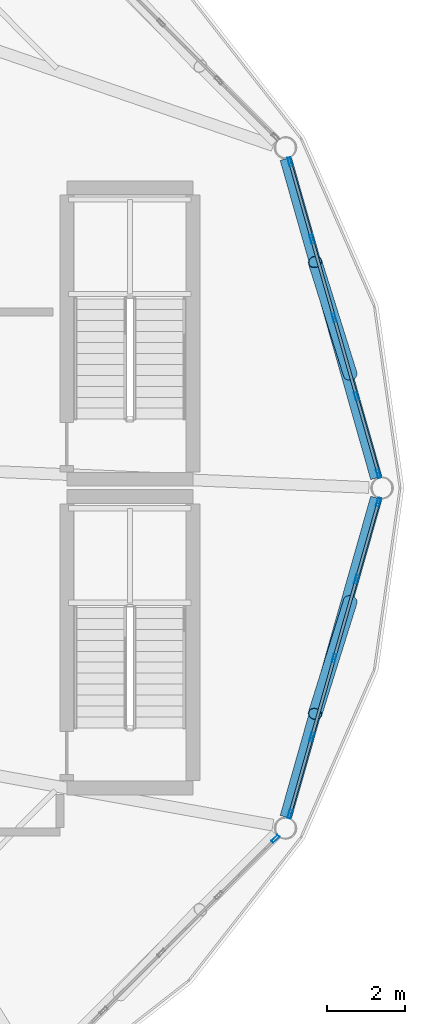
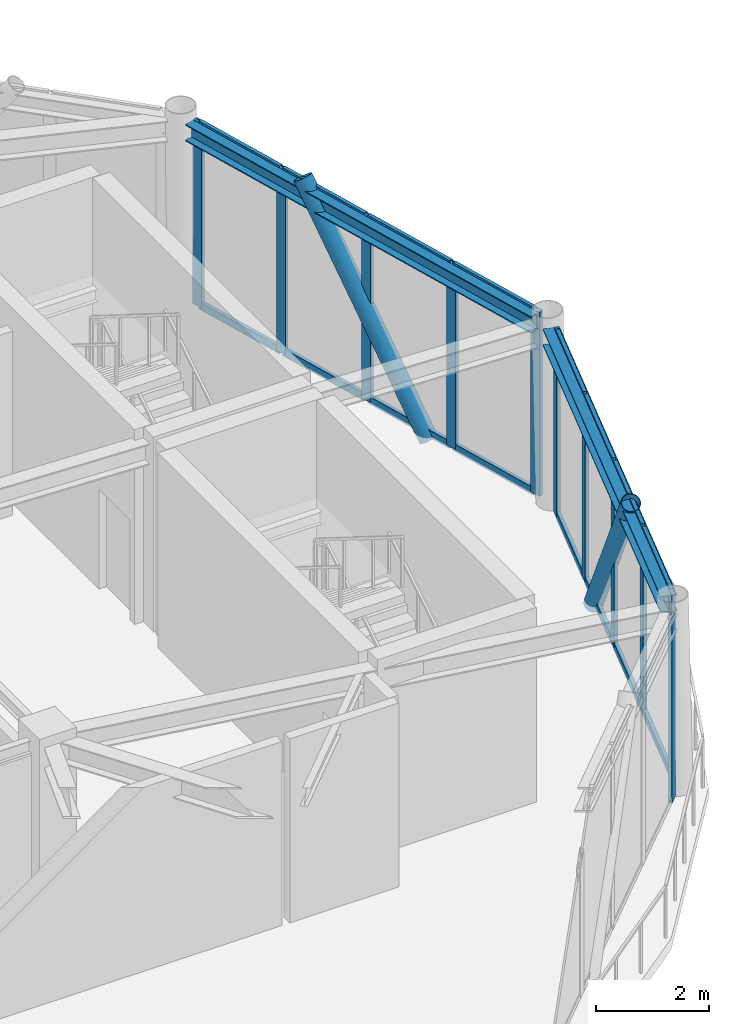
# One storey, part 13 of 21: 29 members, 2 beams, 3 elements without a shape of their own.
"""IFC4 building model written with IfcOpenShell, lengths in metres."""

from ifc_helpers import new_model, si_unit, direction, frame, origin, origin_2d, place, context, subcontext, project, spatial, hollow_rectangle, hollow_circle, i_section, extrude, material, layer, layer_set, material_profile, profile_set, type_object, element, aggregate, save


model = new_model("IFC4")

# Units and contexts
model_context = context("Model", 3, precision=1e-05, world=origin(), true_north=direction((0.0, 1.0)))
body_context = subcontext(model_context, "Body", "Model", "MODEL_VIEW")
ifc_project = project(units=[si_unit("LENGTHUNIT", "METRE"), si_unit("AREAUNIT", "SQUARE_METRE"), si_unit("VOLUMEUNIT", "CUBIC_METRE"), si_unit("PLANEANGLEUNIT", "RADIAN"), si_unit("MASSUNIT", "GRAM", prefix="KILO")], contexts=[model_context])

# Site, building, storey
site_placement = place(None, origin())
site = spatial("IfcSite", under=ifc_project, at=site_placement, CompositionType="ELEMENT")
building_placement = place(site_placement, origin())
building = spatial("IfcBuilding", under=site, at=building_placement, Name="Varnakorn Sky Granary", CompositionType="ELEMENT")
storey_placement = place(building_placement, frame((0.0, 0.0, 298.199951171875)))
storey = spatial("IfcBuildingStorey", under=building, at=storey_placement, Name="L76", CompositionType="ELEMENT", Elevation=298.199951171875)

# Beams
ifc_material_1 = material(Name="Steel S355JR", Category="steel")
ifc_material_profile_1 = material_profile(ifc_material_1, i_section(OverallWidth=0.300048828125, OverallDepth=0.360107421875, WebThickness=0.012451171875, FlangeThickness=0.0224609375, at=origin_2d()), Name="HE 360 B")
ifc_profile_set_1 = profile_set([ifc_material_profile_1], Name="Steel S355JR")
beam_type = type_object("IfcBeamType", Name="BM-SPD-Z5", PredefinedType="SPANDREL", material=ifc_profile_set_1)
for number, where, z_axis, x_axis, name in (
    (1, (22.270751953125, 0.25439453125, 3.780029296875), (-0.272855488152, 0.962055030955, 0.0), (-0.962055030955, -0.272855488152, 0.0), "Perimeter Spandrel Ring Beam RB01 L76"),
    (2, (19.95458984375, -8.4208984375, 3.780029296875), (0.272855488152, 0.962055030955, 0.0), (-0.962055030955, 0.272855488152, 0.0), "Perimeter Spandrel Ring Beam RB12 L76"),
):
    element("IfcBeam", number, at=place(storey_placement, frame(where, z_axis=z_axis, x_axis=x_axis)), inside=storey, type_object=beam_type, Name=name, PredefinedType="SPANDREL", context=body_context, shape_type="SweptSolid", body=[
        extrude(i_section(OverallWidth=0.300048828125, OverallDepth=0.360107421875, WebThickness=0.012451171875, FlangeThickness=0.0224609375, at=origin_2d()), origin(), (0.0, 0.0, 1.0), 8.488525390625),
    ])

# Curtain wall, members
ifc_material_2 = material(Name="Anodised Bronze Aluminium Alloy 6063-T6", Category="aluminium")
ifc_layer = layer(ifc_material_2, 0.22998046875, Name="Anodised Bronze Aluminium Alloy 6063-T6")
ifc_layer_set = layer_set([ifc_layer], Name="Anodised Bronze Aluminium Alloy 6063-T6")
curtain_wall_type = type_object("IfcCurtainWallType", Name="CW-LNT-1", PredefinedType="USERDEFINED", material=ifc_layer_set)
curtain_wall_1_placement = place(storey_placement, origin())
curtain_wall_1 = element("IfcCurtainWall", 3, at=curtain_wall_1_placement, inside=storey, type_object=curtain_wall_type, Name="Unitised Curtain Wall CW7 CW-L76-B01", ObjectType="CURTAIN WALL", PredefinedType="USERDEFINED")
ifc_material_profile_2 = material_profile(ifc_material_2, hollow_rectangle(XDim=0.074951171875, YDim=0.219970703125, WallThickness=0.00390625, at=origin_2d()), Name="ALU MULL 75x220")
ifc_profile_set_2 = profile_set([ifc_material_profile_2], Name="Anodised Bronze Aluminium Alloy 6063-T6")
member_type_1 = type_object("IfcMemberType", Name="CW-LNT-1-MULL", PredefinedType="MULLION", material=ifc_profile_set_2)
member_1_placement = place(storey_placement, frame((20.059814453125, 8.348388671875, 0.0), z_axis=(0.0, 0.0, 1.0), x_axis=(0.962012139811, 0.273006671816, 0.0)))
member_1 = element("IfcMember", 4, at=member_1_placement, type_object=member_type_1, Name="CW7 mullion 1", PredefinedType="MULLION", context=body_context, shape_type="SweptSolid", body=[
    extrude(hollow_rectangle(XDim=0.074951171875, YDim=0.219970703125, WallThickness=0.00390625, at=origin_2d()), origin(), (0.0, 0.0, 1.0), 3.9599609375),
])
member_2_placement = place(storey_placement, frame((20.621337890625, 6.369873046875, 0.0), z_axis=(0.0, 0.0, 1.0), x_axis=(0.962012139811, 0.273006671816, 0.0)))
member_2 = element("IfcMember", 5, at=member_2_placement, type_object=member_type_1, Name="CW7 mullion 2", PredefinedType="MULLION", context=body_context, shape_type="SweptSolid", body=[
    extrude(hollow_rectangle(XDim=0.074951171875, YDim=0.219970703125, WallThickness=0.00390625, at=origin_2d()), origin(), (0.0, 0.0, 1.0), 3.9599609375),
])
member_3_placement = place(storey_placement, frame((21.19287109375, 4.35546875, 0.0), z_axis=(0.0, 0.0, 1.0), x_axis=(0.962012139811, 0.273006671816, 0.0)))
member_3 = element("IfcMember", 6, at=member_3_placement, type_object=member_type_1, Name="CW7 mullion 3", PredefinedType="MULLION", context=body_context, shape_type="SweptSolid", body=[
    extrude(hollow_rectangle(XDim=0.074951171875, YDim=0.219970703125, WallThickness=0.00390625, at=origin_2d()), origin(), (0.0, 0.0, 1.0), 3.9599609375),
])
member_4_placement = place(storey_placement, frame((21.7646484375, 2.341064453125, 0.0), z_axis=(0.0, 0.0, 1.0), x_axis=(0.962012139811, 0.273006671816, 0.0)))
member_4 = element("IfcMember", 7, at=member_4_placement, type_object=member_type_1, Name="CW7 mullion 4", PredefinedType="MULLION", context=body_context, shape_type="SweptSolid", body=[
    extrude(hollow_rectangle(XDim=0.074951171875, YDim=0.219970703125, WallThickness=0.00390625, at=origin_2d()), origin(), (0.0, 0.0, 1.0), 3.9599609375),
])
member_5_placement = place(storey_placement, frame((22.326171875, 0.36279296875, 0.0), z_axis=(0.0, 0.0, 1.0), x_axis=(0.962012139811, 0.273006671816, 0.0)))
member_5 = element("IfcMember", 8, at=member_5_placement, type_object=member_type_1, Name="CW7 mullion 5", PredefinedType="MULLION", context=body_context, shape_type="SweptSolid", body=[
    extrude(hollow_rectangle(XDim=0.074951171875, YDim=0.219970703125, WallThickness=0.00390625, at=origin_2d()), origin(), (0.0, 0.0, 1.0), 3.9599609375),
])

# Curtain wall, member
curtain_wall_2_placement = place(storey_placement, origin())
curtain_wall_2 = element("IfcCurtainWall", 9, at=curtain_wall_2_placement, inside=storey, type_object=curtain_wall_type, Name="Unitised Curtain Wall CW7 CW-L76-B11", ObjectType="CURTAIN WALL", PredefinedType="USERDEFINED")
member_6_placement = place(storey_placement, frame((19.690185546875, -8.977294921875, 0.0), z_axis=(0.0, 0.0, 1.0), x_axis=(0.706663262546, -0.707550021813, 0.0)))
member_6 = element("IfcMember", 10, at=member_6_placement, type_object=member_type_1, Name="CW7 mullion 1", PredefinedType="MULLION", context=body_context, shape_type="SweptSolid", body=[
    extrude(hollow_rectangle(XDim=0.074951171875, YDim=0.219970703125, WallThickness=0.00390625, at=origin_2d()), origin(), (0.0, 0.0, 1.0), 3.9599609375),
])
aggregate(curtain_wall_2, [member_6])

# Curtain wall, members
curtain_wall_3_placement = place(storey_placement, origin())
curtain_wall_3 = element("IfcCurtainWall", 11, at=curtain_wall_3_placement, inside=storey, type_object=curtain_wall_type, Name="Unitised Curtain Wall CW7 CW-L76-B12", ObjectType="CURTAIN WALL", PredefinedType="USERDEFINED")
member_7_placement = place(storey_placement, frame((22.326171875, -0.36279296875, 0.0), z_axis=(0.0, 0.0, 1.0), x_axis=(0.962012139811, -0.273006671816, 0.0)))
member_7 = element("IfcMember", 12, at=member_7_placement, type_object=member_type_1, Name="CW7 mullion 1", PredefinedType="MULLION", context=body_context, shape_type="SweptSolid", body=[
    extrude(hollow_rectangle(XDim=0.074951171875, YDim=0.219970703125, WallThickness=0.00390625, at=origin_2d()), origin(), (0.0, 0.0, 1.0), 3.9599609375),
])
member_8_placement = place(storey_placement, frame((21.7646484375, -2.341064453125, 0.0), z_axis=(0.0, 0.0, 1.0), x_axis=(0.962012139811, -0.273006671816, 0.0)))
member_8 = element("IfcMember", 13, at=member_8_placement, type_object=member_type_1, Name="CW7 mullion 2", PredefinedType="MULLION", context=body_context, shape_type="SweptSolid", body=[
    extrude(hollow_rectangle(XDim=0.074951171875, YDim=0.219970703125, WallThickness=0.00390625, at=origin_2d()), origin(), (0.0, 0.0, 1.0), 3.9599609375),
])
member_9_placement = place(storey_placement, frame((21.19287109375, -4.35546875, 0.0), z_axis=(0.0, 0.0, 1.0), x_axis=(0.962012139811, -0.273006671816, 0.0)))
member_9 = element("IfcMember", 14, at=member_9_placement, type_object=member_type_1, Name="CW7 mullion 3", PredefinedType="MULLION", context=body_context, shape_type="SweptSolid", body=[
    extrude(hollow_rectangle(XDim=0.074951171875, YDim=0.219970703125, WallThickness=0.00390625, at=origin_2d()), origin(), (0.0, 0.0, 1.0), 3.9599609375),
])
member_10_placement = place(storey_placement, frame((20.621337890625, -6.369873046875, 0.0), z_axis=(0.0, 0.0, 1.0), x_axis=(0.962012139811, -0.273006671816, 0.0)))
member_10 = element("IfcMember", 15, at=member_10_placement, type_object=member_type_1, Name="CW7 mullion 4", PredefinedType="MULLION", context=body_context, shape_type="SweptSolid", body=[
    extrude(hollow_rectangle(XDim=0.074951171875, YDim=0.219970703125, WallThickness=0.00390625, at=origin_2d()), origin(), (0.0, 0.0, 1.0), 3.9599609375),
])
member_11_placement = place(storey_placement, frame((20.059814453125, -8.348388671875, 0.0), z_axis=(0.0, 0.0, 1.0), x_axis=(0.962012139811, -0.273006671816, 0.0)))
member_11 = element("IfcMember", 16, at=member_11_placement, type_object=member_type_1, Name="CW7 mullion 5", PredefinedType="MULLION", context=body_context, shape_type="SweptSolid", body=[
    extrude(hollow_rectangle(XDim=0.074951171875, YDim=0.219970703125, WallThickness=0.00390625, at=origin_2d()), origin(), (0.0, 0.0, 1.0), 3.9599609375),
])

# Member
ifc_material_profile_3 = material_profile(ifc_material_2, hollow_rectangle(XDim=0.074951171875, YDim=0.159912109375, WallThickness=0.00390625, at=origin_2d()), Name="ALU TRAN 75x160")
ifc_profile_set_3 = profile_set([ifc_material_profile_3], Name="Anodised Bronze Aluminium Alloy 6063-T6")
member_type_2 = type_object("IfcMemberType", Name="CW-LNT-1-TRAN", PredefinedType="USERDEFINED", material=ifc_profile_set_3)
member_12_placement = place(storey_placement, frame((20.070068359375, 8.312255859375, 0.03759765625), z_axis=(0.273028339525, -0.96200599053, 0.0), x_axis=(0.96200599053, 0.273028339525, 0.0)))
member_12 = element("IfcMember", 17, at=member_12_placement, type_object=member_type_2, Name="CW7 transom 1.1", ObjectType="TRANSOM", PredefinedType="USERDEFINED", context=body_context, shape_type="SweptSolid", body=[
    extrude(hollow_rectangle(XDim=0.074951171875, YDim=0.159912109375, WallThickness=0.00390625, at=origin_2d()), origin(), (0.0, 0.0, 1.0), 1.9814453125),
])

member_13_placement = place(storey_placement, frame((20.070068359375, 8.312255859375, 3.922607421875), z_axis=(0.273028339525, -0.96200599053, 0.0), x_axis=(0.96200599053, 0.273028339525, 0.0)))
member_13 = element("IfcMember", 18, at=member_13_placement, type_object=member_type_2, Name="CW7 transom 1.2", ObjectType="TRANSOM", PredefinedType="USERDEFINED", context=body_context, shape_type="SweptSolid", body=[
    extrude(hollow_rectangle(XDim=0.074951171875, YDim=0.159912109375, WallThickness=0.00390625, at=origin_2d()), origin(), (0.0, 0.0, 1.0), 1.9814453125),
])

member_14_placement = place(storey_placement, frame((20.631591796875, 6.333984375, 0.03759765625), z_axis=(0.272915973142, -0.962037874309, 0.0), x_axis=(0.962037874309, 0.272915973142, 0.0)))
member_14 = element("IfcMember", 19, at=member_14_placement, type_object=member_type_2, Name="CW7 transom 2.1", ObjectType="TRANSOM", PredefinedType="USERDEFINED", context=body_context, shape_type="SweptSolid", body=[
    extrude(hollow_rectangle(XDim=0.074951171875, YDim=0.159912109375, WallThickness=0.00390625, at=origin_2d()), origin(), (0.0, 0.0, 1.0), 2.01904296875),
])

member_15_placement = place(storey_placement, frame((20.631591796875, 6.333984375, 3.922607421875), z_axis=(0.272915973142, -0.962037874309, 0.0), x_axis=(0.962037874309, 0.272915973142, 0.0)))
member_15 = element("IfcMember", 20, at=member_15_placement, type_object=member_type_2, Name="CW7 transom 2.2", ObjectType="TRANSOM", PredefinedType="USERDEFINED", context=body_context, shape_type="SweptSolid", body=[
    extrude(hollow_rectangle(XDim=0.074951171875, YDim=0.159912109375, WallThickness=0.00390625, at=origin_2d()), origin(), (0.0, 0.0, 1.0), 2.01904296875),
])

member_16_placement = place(storey_placement, frame((21.203125, 4.3193359375, 0.03759765625), z_axis=(0.273059643534, -0.961997105543, 0.0), x_axis=(0.961997105543, 0.273059643534, 0.0)))
member_16 = element("IfcMember", 21, at=member_16_placement, type_object=member_type_2, Name="CW7 transom 3.1", ObjectType="TRANSOM", PredefinedType="USERDEFINED", context=body_context, shape_type="SweptSolid", body=[
    extrude(hollow_rectangle(XDim=0.074951171875, YDim=0.159912109375, WallThickness=0.00390625, at=origin_2d()), origin(), (0.0, 0.0, 1.0), 2.018798828125),
])

member_17_placement = place(storey_placement, frame((21.203125, 4.3193359375, 3.922607421875), z_axis=(0.273059643534, -0.961997105543, 0.0), x_axis=(0.961997105543, 0.273059643534, 0.0)))
member_17 = element("IfcMember", 22, at=member_17_placement, type_object=member_type_2, Name="CW7 transom 3.2", ObjectType="TRANSOM", PredefinedType="USERDEFINED", context=body_context, shape_type="SweptSolid", body=[
    extrude(hollow_rectangle(XDim=0.074951171875, YDim=0.159912109375, WallThickness=0.00390625, at=origin_2d()), origin(), (0.0, 0.0, 1.0), 2.018798828125),
])

member_18_placement = place(storey_placement, frame((21.77490234375, 2.304931640625, 0.03759765625), z_axis=(0.273028339525, -0.96200599053, 0.0), x_axis=(0.96200599053, 0.273028339525, 0.0)))
member_18 = element("IfcMember", 23, at=member_18_placement, type_object=member_type_2, Name="CW7 transom 4.1", ObjectType="TRANSOM", PredefinedType="USERDEFINED", context=body_context, shape_type="SweptSolid", body=[
    extrude(hollow_rectangle(XDim=0.074951171875, YDim=0.159912109375, WallThickness=0.00390625, at=origin_2d()), origin(), (0.0, 0.0, 1.0), 1.9814453125),
])

member_19_placement = place(storey_placement, frame((21.77490234375, 2.304931640625, 3.922607421875), z_axis=(0.273028339525, -0.96200599053, 0.0), x_axis=(0.96200599053, 0.273028339525, 0.0)))
member_19 = element("IfcMember", 24, at=member_19_placement, type_object=member_type_2, Name="CW7 transom 4.2", ObjectType="TRANSOM", PredefinedType="USERDEFINED", context=body_context, shape_type="SweptSolid", body=[
    extrude(hollow_rectangle(XDim=0.074951171875, YDim=0.159912109375, WallThickness=0.00390625, at=origin_2d()), origin(), (0.0, 0.0, 1.0), 1.9814453125),
])

aggregate(curtain_wall_1, [member_1, member_2, member_3, member_4, member_5, member_12, member_13, member_14, member_15, member_16, member_17, member_18, member_19])

member_20_placement = place(storey_placement, frame((22.31591796875, -0.398681640625, 0.03759765625), z_axis=(-0.273028339525, -0.96200599053, 0.0), x_axis=(0.96200599053, -0.273028339525, 0.0)))
member_20 = element("IfcMember", 25, at=member_20_placement, type_object=member_type_2, Name="CW7 transom 1.1", ObjectType="TRANSOM", PredefinedType="USERDEFINED", context=body_context, shape_type="SweptSolid", body=[
    extrude(hollow_rectangle(XDim=0.074951171875, YDim=0.159912109375, WallThickness=0.00390625, at=origin_2d()), origin(), (0.0, 0.0, 1.0), 1.9814453125),
])

member_21_placement = place(storey_placement, frame((22.31591796875, -0.398681640625, 3.922607421875), z_axis=(-0.273028339525, -0.96200599053, 0.0), x_axis=(0.96200599053, -0.273028339525, 0.0)))
member_21 = element("IfcMember", 26, at=member_21_placement, type_object=member_type_2, Name="CW7 transom 1.2", ObjectType="TRANSOM", PredefinedType="USERDEFINED", context=body_context, shape_type="SweptSolid", body=[
    extrude(hollow_rectangle(XDim=0.074951171875, YDim=0.159912109375, WallThickness=0.00390625, at=origin_2d()), origin(), (0.0, 0.0, 1.0), 1.9814453125),
])

member_22_placement = place(storey_placement, frame((21.75439453125, -2.377197265625, 0.03759765625), z_axis=(-0.273059643534, -0.961997105543, 0.0), x_axis=(0.961997105543, -0.273059643534, 0.0)))
member_22 = element("IfcMember", 27, at=member_22_placement, type_object=member_type_2, Name="CW7 transom 2.1", ObjectType="TRANSOM", PredefinedType="USERDEFINED", context=body_context, shape_type="SweptSolid", body=[
    extrude(hollow_rectangle(XDim=0.074951171875, YDim=0.159912109375, WallThickness=0.00390625, at=origin_2d()), origin(), (0.0, 0.0, 1.0), 2.018798828125),
])

member_23_placement = place(storey_placement, frame((21.75439453125, -2.377197265625, 3.922607421875), z_axis=(-0.273059643534, -0.961997105543, 0.0), x_axis=(0.961997105543, -0.273059643534, 0.0)))
member_23 = element("IfcMember", 28, at=member_23_placement, type_object=member_type_2, Name="CW7 transom 2.2", ObjectType="TRANSOM", PredefinedType="USERDEFINED", context=body_context, shape_type="SweptSolid", body=[
    extrude(hollow_rectangle(XDim=0.074951171875, YDim=0.159912109375, WallThickness=0.00390625, at=origin_2d()), origin(), (0.0, 0.0, 1.0), 2.018798828125),
])

member_24_placement = place(storey_placement, frame((21.1826171875, -4.3916015625, 0.03759765625), z_axis=(-0.272915973142, -0.962037874309, 0.0), x_axis=(0.962037874309, -0.272915973142, 0.0)))
member_24 = element("IfcMember", 29, at=member_24_placement, type_object=member_type_2, Name="CW7 transom 3.1", ObjectType="TRANSOM", PredefinedType="USERDEFINED", context=body_context, shape_type="SweptSolid", body=[
    extrude(hollow_rectangle(XDim=0.074951171875, YDim=0.159912109375, WallThickness=0.00390625, at=origin_2d()), origin(), (0.0, 0.0, 1.0), 2.01904296875),
])

member_25_placement = place(storey_placement, frame((21.1826171875, -4.3916015625, 3.922607421875), z_axis=(-0.272915973142, -0.962037874309, 0.0), x_axis=(0.962037874309, -0.272915973142, 0.0)))
member_25 = element("IfcMember", 30, at=member_25_placement, type_object=member_type_2, Name="CW7 transom 3.2", ObjectType="TRANSOM", PredefinedType="USERDEFINED", context=body_context, shape_type="SweptSolid", body=[
    extrude(hollow_rectangle(XDim=0.074951171875, YDim=0.159912109375, WallThickness=0.00390625, at=origin_2d()), origin(), (0.0, 0.0, 1.0), 2.01904296875),
])

member_26_placement = place(storey_placement, frame((20.611083984375, -6.406005859375, 0.03759765625), z_axis=(-0.273028339525, -0.96200599053, 0.0), x_axis=(0.96200599053, -0.273028339525, 0.0)))
member_26 = element("IfcMember", 31, at=member_26_placement, type_object=member_type_2, Name="CW7 transom 4.1", ObjectType="TRANSOM", PredefinedType="USERDEFINED", context=body_context, shape_type="SweptSolid", body=[
    extrude(hollow_rectangle(XDim=0.074951171875, YDim=0.159912109375, WallThickness=0.00390625, at=origin_2d()), origin(), (0.0, 0.0, 1.0), 1.9814453125),
])

member_27_placement = place(storey_placement, frame((20.611083984375, -6.406005859375, 3.922607421875), z_axis=(-0.273028339525, -0.96200599053, 0.0), x_axis=(0.96200599053, -0.273028339525, 0.0)))
member_27 = element("IfcMember", 32, at=member_27_placement, type_object=member_type_2, Name="CW7 transom 4.2", ObjectType="TRANSOM", PredefinedType="USERDEFINED", context=body_context, shape_type="SweptSolid", body=[
    extrude(hollow_rectangle(XDim=0.074951171875, YDim=0.159912109375, WallThickness=0.00390625, at=origin_2d()), origin(), (0.0, 0.0, 1.0), 1.9814453125),
])

aggregate(curtain_wall_3, [member_7, member_8, member_9, member_10, member_11, member_20, member_21, member_22, member_23, member_24, member_25, member_26, member_27])

# Members
ifc_material_3 = material(Name="Steel S460M", Category="steel")
ifc_material_profile_4 = material_profile(ifc_material_3, hollow_circle(Radius=0.177734375, WallThickness=0.01416015625, at=origin_2d()), Name="CHS 355.6x14")
ifc_profile_set_4 = profile_set([ifc_material_profile_4], Name="Steel S460M")
member_type_3 = type_object("IfcMemberType", Name="MB-DIAG-T5", PredefinedType="BRACE", material=ifc_profile_set_4)
for number, where, z_axis, x_axis, name in (
    (33, (21.60498046875, 2.90380859375, -0.1298828125), (-0.17392656984, 0.555096812184, 0.81339847394), (-0.954255154981, -0.29899347684, 0.0), "Perimeter CHS Diagrid Brace DG01 L76"),
    (34, (21.60498046875, -2.90380859375, -0.1298828125), (-0.17392656984, -0.555096812184, 0.81339847394), (0.954255154981, -0.29899347684, 0.0), "Perimeter CHS Diagrid Brace DG12 L76"),
):
    element("IfcMember", number, at=place(storey_placement, frame(where, z_axis=z_axis, x_axis=x_axis)), inside=storey, type_object=member_type_3, Name=name, PredefinedType="BRACE", context=body_context, shape_type="SweptSolid", body=[
        extrude(hollow_circle(Radius=0.177734375, WallThickness=0.01416015625, at=origin_2d()), origin(), (0.0, 0.0, 1.0), 5.18798828125),
    ])

save(model, "model.ifc")
